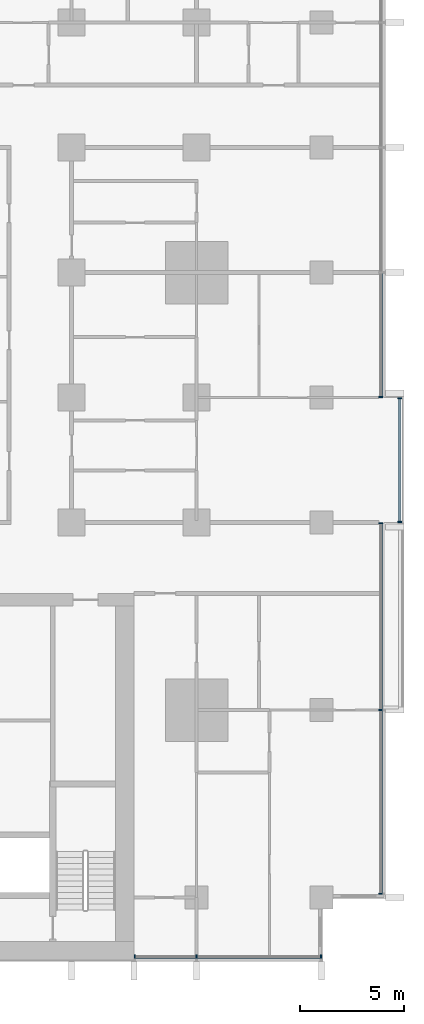
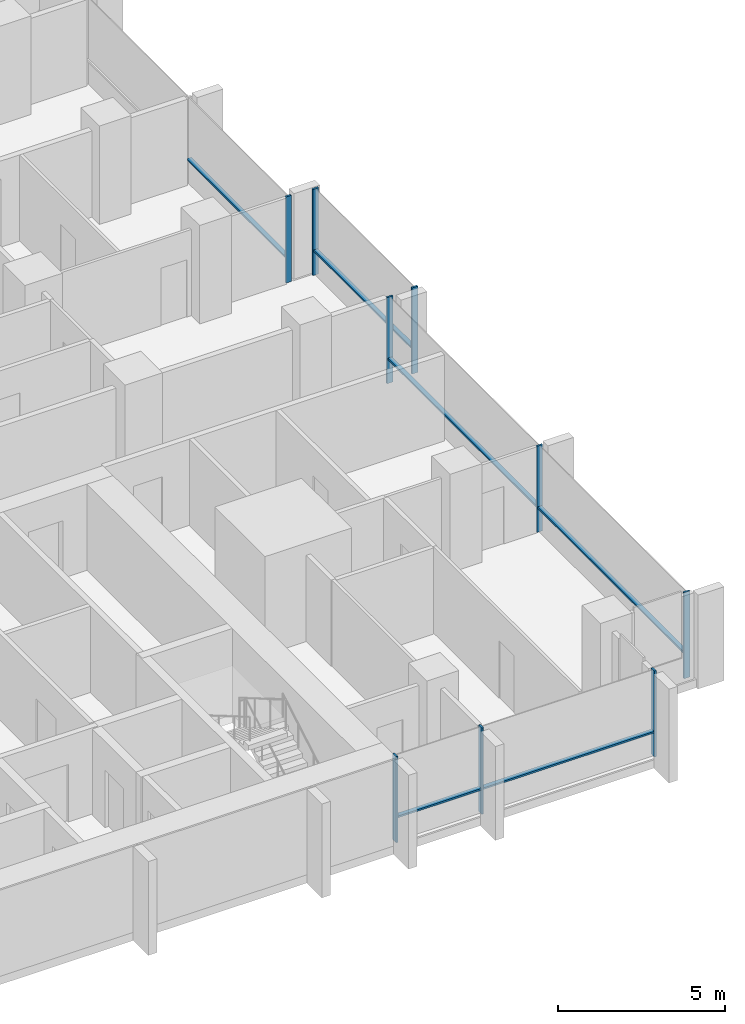
# One storey, part 3 of 18: 15 members, 4 elements without a shape of their own.
"""IFC4 building model written with IfcOpenShell, lengths in metres."""

from ifc_helpers import new_model, si_unit, direction, frame, origin, origin_2d, place, context, subcontext, project, spatial, rectangle, extrude, material, material_profile, profile_set, type_object, element, aggregate, save


model = new_model("IFC4")

# Units and contexts
model_context = context("Model", 3, precision=1e-05, world=origin(), true_north=direction((0.0, 1.0)))
body_context = subcontext(model_context, "Body", "Model", "MODEL_VIEW")
ifc_project = project(units=[si_unit("LENGTHUNIT", "METRE"), si_unit("AREAUNIT", "SQUARE_METRE"), si_unit("VOLUMEUNIT", "CUBIC_METRE"), si_unit("PLANEANGLEUNIT", "RADIAN"), si_unit("MASSUNIT", "GRAM", prefix="KILO")], contexts=[model_context])

# Site, building, storey
site_placement = place(None, origin())
site = spatial("IfcSite", under=ifc_project, at=site_placement, CompositionType="ELEMENT")
building_placement = place(site_placement, origin())
building = spatial("IfcBuilding", under=site, at=building_placement, Name="Finial Court Residences", CompositionType="ELEMENT")
storey_placement = place(building_placement, frame((0.0, 0.0, 72.10009765625)))
storey = spatial("IfcBuildingStorey", under=building, at=storey_placement, Name="L17", CompositionType="ELEMENT", Elevation=72.10009765625)

# Curtain wall, members
ifc_material = material(Name="Bronze anodised aluminium", Category="aluminium")
curtain_wall_type = type_object("IfcCurtainWallType", Name="Unitised curtain wall, lower and middle zones", PredefinedType="NOTDEFINED", material=ifc_material)
curtain_wall_1_placement = place(storey_placement, origin())
curtain_wall_1 = element("IfcCurtainWall", 1, at=curtain_wall_1_placement, inside=storey, type_object=curtain_wall_type, Name="E-L17-CW-E4", PredefinedType="NOTDEFINED")
ifc_material_profile_1 = material_profile(ifc_material, rectangle(XDim=0.199951171875, YDim=0.06494140625, at=origin_2d()), Name="CW1 mullion 65 x 200")
ifc_profile_set_1 = profile_set([ifc_material_profile_1], Name="Bronze anodised aluminium")
member_type_1 = type_object("IfcMemberType", Name="CW1 mullion 65 x 200", PredefinedType="MULLION", material=ifc_profile_set_1)
member_1_placement = place(storey_placement, frame((25.35009765625, -22.3173828125, 0.0), z_axis=(0.0, 0.0, 1.0), x_axis=(-1.0, 0.0, 0.0)))
member_1 = element("IfcMember", 2, at=member_1_placement, type_object=member_type_1, Name="CW1 mullion 1", PredefinedType="MULLION", context=body_context, shape_type="SweptSolid", body=[
    extrude(rectangle(XDim=0.199951171875, YDim=0.06494140625, at=origin_2d()), origin(), (0.0, 0.0, 1.0), 3.14990234375),
])
member_2_placement = place(storey_placement, frame((25.35009765625, -13.5, 0.0), z_axis=(0.0, 0.0, 1.0), x_axis=(-1.0, 0.0, 0.0)))
member_2 = element("IfcMember", 3, at=member_2_placement, type_object=member_type_1, Name="CW1 mullion 2", PredefinedType="MULLION", context=body_context, shape_type="SweptSolid", body=[
    extrude(rectangle(XDim=0.199951171875, YDim=0.06494140625, at=origin_2d()), origin(), (0.0, 0.0, 1.0), 3.14990234375),
])
member_3_placement = place(storey_placement, frame((25.35009765625, -4.532470703125, 0.0), z_axis=(0.0, 0.0, 1.0), x_axis=(-1.0, 0.0, 0.0)))
member_3 = element("IfcMember", 4, at=member_3_placement, type_object=member_type_1, Name="CW1 mullion 3", PredefinedType="MULLION", context=body_context, shape_type="SweptSolid", body=[
    extrude(rectangle(XDim=0.199951171875, YDim=0.06494140625, at=origin_2d()), origin(), (0.0, 0.0, 1.0), 3.14990234375),
])

curtain_wall_2_placement = place(storey_placement, origin())
curtain_wall_2 = element("IfcCurtainWall", 5, at=curtain_wall_2_placement, inside=storey, type_object=curtain_wall_type, Name="E-L17-CW-E5", PredefinedType="NOTDEFINED")
member_4_placement = place(storey_placement, frame((26.25, -4.467529296875, 0.0), z_axis=(0.0, 0.0, 1.0), x_axis=(-1.0, 0.0, 0.0)))
member_4 = element("IfcMember", 6, at=member_4_placement, type_object=member_type_1, Name="CW1 mullion 1", PredefinedType="MULLION", context=body_context, shape_type="SweptSolid", body=[
    extrude(rectangle(XDim=0.199951171875, YDim=0.06494140625, at=origin_2d()), origin(), (0.0, 0.0, 1.0), 3.14990234375),
])
member_5_placement = place(storey_placement, frame((26.25, 1.467529296875, 0.0), z_axis=(0.0, 0.0, 1.0), x_axis=(-1.0, 0.0, 0.0)))
member_5 = element("IfcMember", 7, at=member_5_placement, type_object=member_type_1, Name="CW1 mullion 2", PredefinedType="MULLION", context=body_context, shape_type="SweptSolid", body=[
    extrude(rectangle(XDim=0.199951171875, YDim=0.06494140625, at=origin_2d()), origin(), (0.0, 0.0, 1.0), 3.14990234375),
])

# Curtain wall, member
curtain_wall_3_placement = place(storey_placement, origin())
curtain_wall_3 = element("IfcCurtainWall", 8, at=curtain_wall_3_placement, inside=storey, type_object=curtain_wall_type, Name="E-L17-CW-E6", PredefinedType="NOTDEFINED")
member_6_placement = place(storey_placement, frame((25.35009765625, 1.532470703125, 0.0), z_axis=(0.0, 0.0, 1.0), x_axis=(-1.0, 0.0, 0.0)))
member_6 = element("IfcMember", 9, at=member_6_placement, type_object=member_type_1, Name="CW1 mullion 1", PredefinedType="MULLION", context=body_context, shape_type="SweptSolid", body=[
    extrude(rectangle(XDim=0.199951171875, YDim=0.06494140625, at=origin_2d()), origin(), (0.0, 0.0, 1.0), 3.14990234375),
])

# Curtain wall, members
curtain_wall_4_placement = place(storey_placement, origin())
curtain_wall_4 = element("IfcCurtainWall", 10, at=curtain_wall_4_placement, inside=storey, type_object=curtain_wall_type, Name="E-L17-CW-S8", PredefinedType="NOTDEFINED")
member_7_placement = place(storey_placement, frame((13.532470703125, -25.35009765625, 0.0), z_axis=(0.0, 0.0, 1.0), x_axis=(0.0, 1.0, 0.0)))
member_7 = element("IfcMember", 11, at=member_7_placement, type_object=member_type_1, Name="CW1 mullion 1", PredefinedType="MULLION", context=body_context, shape_type="SweptSolid", body=[
    extrude(rectangle(XDim=0.199951171875, YDim=0.06494140625, at=origin_2d()), origin(), (0.0, 0.0, 1.0), 3.14990234375),
])
member_8_placement = place(storey_placement, frame((16.5, -25.35009765625, 0.0), z_axis=(0.0, 0.0, 1.0), x_axis=(0.0, 1.0, 0.0)))
member_8 = element("IfcMember", 12, at=member_8_placement, type_object=member_type_1, Name="CW1 mullion 2", PredefinedType="MULLION", context=body_context, shape_type="SweptSolid", body=[
    extrude(rectangle(XDim=0.199951171875, YDim=0.06494140625, at=origin_2d()), origin(), (0.0, 0.0, 1.0), 3.14990234375),
])
member_9_placement = place(storey_placement, frame((22.467529296875, -25.35009765625, 0.0), z_axis=(0.0, 0.0, 1.0), x_axis=(0.0, 1.0, 0.0)))
member_9 = element("IfcMember", 13, at=member_9_placement, type_object=member_type_1, Name="CW1 mullion 3", PredefinedType="MULLION", context=body_context, shape_type="SweptSolid", body=[
    extrude(rectangle(XDim=0.199951171875, YDim=0.06494140625, at=origin_2d()), origin(), (0.0, 0.0, 1.0), 3.14990234375),
])

# Member
ifc_material_profile_2 = material_profile(ifc_material, rectangle(XDim=0.14990234375, YDim=0.06494140625, at=origin_2d()), Name="CW1 transom 65 x 150")
ifc_profile_set_2 = profile_set([ifc_material_profile_2], Name="Bronze anodised aluminium")
member_type_2 = type_object("IfcMemberType", Name="CW1 transom 65 x 150", PredefinedType="USERDEFINED", material=ifc_profile_set_2)
member_10_placement = place(storey_placement, frame((25.35009765625, -22.284912109375, 0.89990234375), z_axis=(0.0, 1.0, 0.0), x_axis=(-1.0, 0.0, 0.0)))
member_10 = element("IfcMember", 14, at=member_10_placement, type_object=member_type_2, Name="CW1 transom 1.1", ObjectType="TRANSOM", PredefinedType="USERDEFINED", context=body_context, shape_type="SweptSolid", body=[
    extrude(rectangle(XDim=0.14990234375, YDim=0.06494140625, at=origin_2d()), origin(), (0.0, 0.0, 1.0), 8.75244140625),
])

member_11_placement = place(storey_placement, frame((25.35009765625, -13.467529296875, 0.89990234375), z_axis=(0.0, 1.0, 0.0), x_axis=(-1.0, 0.0, 0.0)))
member_11 = element("IfcMember", 15, at=member_11_placement, type_object=member_type_2, Name="CW1 transom 2.1", ObjectType="TRANSOM", PredefinedType="USERDEFINED", context=body_context, shape_type="SweptSolid", body=[
    extrude(rectangle(XDim=0.14990234375, YDim=0.06494140625, at=origin_2d()), origin(), (0.0, 0.0, 1.0), 8.902587890625),
])

aggregate(curtain_wall_1, [member_1, member_2, member_3, member_10, member_11])

member_12_placement = place(storey_placement, frame((26.25, -4.43505859375, 0.89990234375), z_axis=(0.0, 1.0, 0.0), x_axis=(-1.0, 0.0, 0.0)))
member_12 = element("IfcMember", 16, at=member_12_placement, type_object=member_type_2, Name="CW1 transom 1.1", ObjectType="TRANSOM", PredefinedType="USERDEFINED", context=body_context, shape_type="SweptSolid", body=[
    extrude(rectangle(XDim=0.14990234375, YDim=0.06494140625, at=origin_2d()), origin(), (0.0, 0.0, 1.0), 5.8701171875),
])

aggregate(curtain_wall_2, [member_4, member_5, member_12])

member_13_placement = place(storey_placement, frame((25.35009765625, 1.56494140625, 0.89990234375), z_axis=(0.0, 1.0, 0.0), x_axis=(-1.0, 0.0, 0.0)))
member_13 = element("IfcMember", 17, at=member_13_placement, type_object=member_type_2, Name="CW1 transom 1.1", ObjectType="TRANSOM", PredefinedType="USERDEFINED", context=body_context, shape_type="SweptSolid", body=[
    extrude(rectangle(XDim=0.14990234375, YDim=0.06494140625, at=origin_2d()), origin(), (0.0, 0.0, 1.0), 5.902587890625),
])

aggregate(curtain_wall_3, [member_6, member_13])

member_14_placement = place(storey_placement, frame((13.56494140625, -25.35009765625, 0.89990234375), z_axis=(1.0, 0.0, 0.0), x_axis=(0.0, 1.0, 0.0)))
member_14 = element("IfcMember", 18, at=member_14_placement, type_object=member_type_2, Name="CW1 transom 1.1", ObjectType="TRANSOM", PredefinedType="USERDEFINED", context=body_context, shape_type="SweptSolid", body=[
    extrude(rectangle(XDim=0.14990234375, YDim=0.06494140625, at=origin_2d()), origin(), (0.0, 0.0, 1.0), 2.902587890625),
])

member_15_placement = place(storey_placement, frame((16.532470703125, -25.35009765625, 0.89990234375), z_axis=(1.0, 0.0, 0.0), x_axis=(0.0, 1.0, 0.0)))
member_15 = element("IfcMember", 19, at=member_15_placement, type_object=member_type_2, Name="CW1 transom 2.1", ObjectType="TRANSOM", PredefinedType="USERDEFINED", context=body_context, shape_type="SweptSolid", body=[
    extrude(rectangle(XDim=0.14990234375, YDim=0.06494140625, at=origin_2d()), origin(), (0.0, 0.0, 1.0), 5.902587890625),
])

aggregate(curtain_wall_4, [member_7, member_8, member_9, member_14, member_15])

save(model, "model.ifc")
